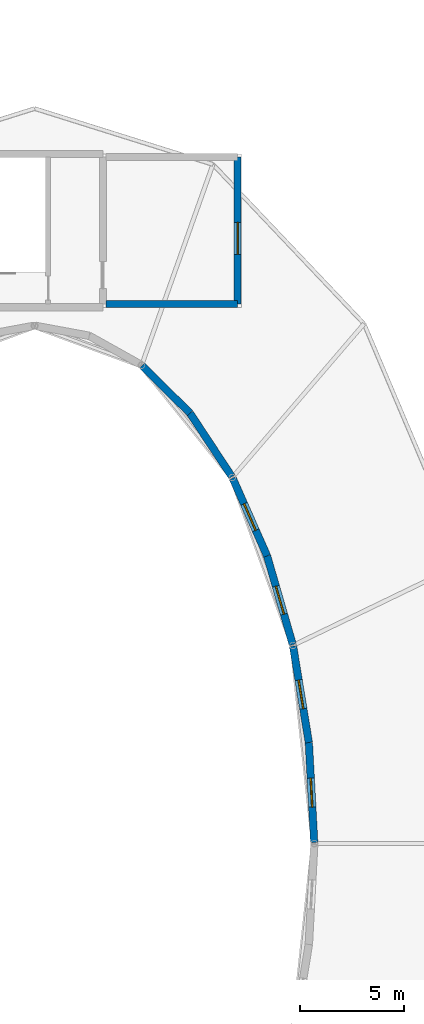
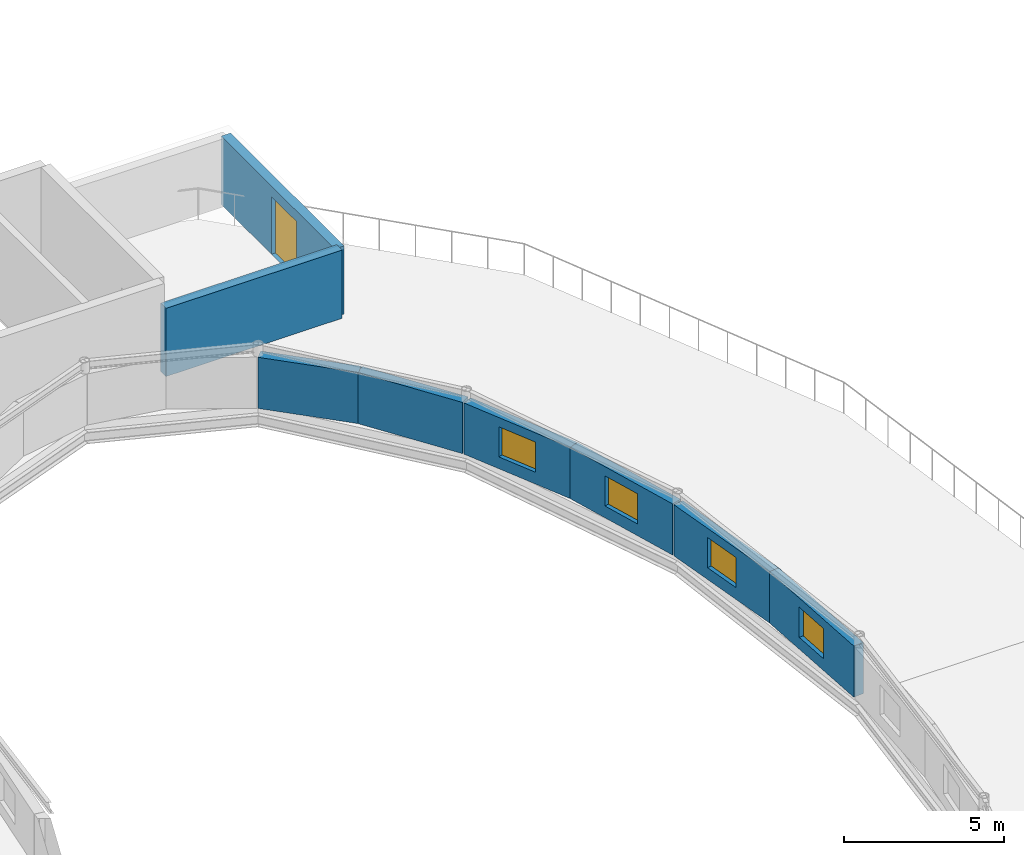
# One storey, part 107 of 123: 8 walls, 4 windows, 1 door, 5 openings.
"""IFC4 building model written with IfcOpenShell, lengths in metres."""

import ifcopenshell
import ifcopenshell.guid

model = None  # the IFC model being written
_history = None  # IfcOwnerHistory: only IFC2X3 demands one
_inside = {}  # id of a spatial element -> (the spatial element, [elements in it])
_under = {}  # id of a project, library or spatial element -> (it, [spatial elements below it])
_declared = {}  # id of a project -> (the project, [libraries it declares])
_typed = {}  # id of a type object -> (the type object, [elements of that type])
_made_of = {}  # id of a material, layer set ... -> (it, [elements and type objects made of it])


def new_model(schema):
    """Start an empty IFC model of exactly this schema.

    Asked for "IFC4X3", IfcOpenShell would pick the latest addendum, in which some entities
    have other attributes; the version numbers below select the first issue.
    IFC2X3 requires an IfcOwnerHistory on every rooted entity: one is made here for all.
    """
    global model, _history
    if schema == "IFC4X3":
        model = ifcopenshell.file(schema_version=(4, 3, 0, 0))
    else:
        model = ifcopenshell.file(schema=schema)
    _inside.clear()
    _under.clear()
    _declared.clear()
    _typed.clear()
    _made_of.clear()
    _history = None
    if model.schema == "IFC2X3":
        org = make("IfcOrganization", Name="unknown")
        user = make(
            "IfcPersonAndOrganization",
            ThePerson=make("IfcPerson", FamilyName="unknown"),
            TheOrganization=org,
        )
        app = make(
            "IfcApplication",
            ApplicationDeveloper=org,
            Version="unknown",
            ApplicationFullName="unknown",
            ApplicationIdentifier="unknown",
        )
        _history = make(
            "IfcOwnerHistory",
            OwningUser=user,
            OwningApplication=app,
            ChangeAction="ADDED",
            CreationDate=0,
        )
    return model


def make(cls, **values):
    """One entity of the class cls with the attributes given. An attribute that is None is left unset."""
    return model.create_entity(
        cls, **{name: value for name, value in values.items() if value is not None}
    )


def rooted(cls, **values):
    """An entity with a GlobalId (a new one), such as an element, a storey or a relation."""
    return make(cls, GlobalId=ifcopenshell.guid.new(), OwnerHistory=_history, **values)


def si_unit(unit_type, name, prefix=None):
    """IfcSIUnit, for example si_unit("LENGTHUNIT", "METRE", prefix="MILLI")."""
    return make("IfcSIUnit", UnitType=unit_type, Prefix=prefix, Name=name)


def assignment(units):
    """IfcUnitAssignment: the units of a project."""
    return None if units is None else make("IfcUnitAssignment", Units=units)


def point(xyz):
    """IfcCartesianPoint."""
    return None if xyz is None else make("IfcCartesianPoint", Coordinates=xyz)


def direction(xyz):
    """IfcDirection."""
    return None if xyz is None else make("IfcDirection", DirectionRatios=xyz)


def frame(location, z_axis=None, x_axis=None):
    """IfcAxis2Placement3D, a coordinate frame: its origin and axes. An axis left out is left unset."""
    return make(
        "IfcAxis2Placement3D",
        Location=point(location),
        Axis=direction(z_axis),
        RefDirection=direction(x_axis),
    )


def frame_2d(location, x_axis=None):
    """IfcAxis2Placement2D, a coordinate frame in the plane: its origin and x axis."""
    return make(
        "IfcAxis2Placement2D", Location=point(location), RefDirection=direction(x_axis)
    )


def origin():
    """The frame at (0, 0, 0) with its axes left unset."""
    return frame((0.0, 0.0, 0.0))


def place(relative_to, where):
    """IfcLocalPlacement: puts the frame where relative to a parent placement (None: the world)."""
    return make(
        "IfcLocalPlacement", PlacementRelTo=relative_to, RelativePlacement=where
    )


def context(
    kind, dimensions, precision=None, world=None, true_north=None, identifier=None
):
    """IfcGeometricRepresentationContext, for example the 3D "Model" context."""
    return make(
        "IfcGeometricRepresentationContext",
        ContextIdentifier=identifier,
        ContextType=kind,
        CoordinateSpaceDimension=dimensions,
        Precision=precision,
        WorldCoordinateSystem=world,
        TrueNorth=true_north,
    )


def subcontext(parent, identifier, kind, view, scale=None):
    """IfcGeometricRepresentationSubContext, for example "Body" below "Model"."""
    return make(
        "IfcGeometricRepresentationSubContext",
        ContextIdentifier=identifier,
        ContextType=kind,
        ParentContext=parent,
        TargetScale=scale,
        TargetView=view,
    )


def project(units=None, contexts=None):
    """IfcProject with its units and contexts."""
    return rooted(
        "IfcProject",
        Name="project",
        RepresentationContexts=contexts,
        UnitsInContext=assignment(units),
    )


def spatial(cls, under=None, at=None, **own):
    """A site, building, storey or space (cls), placed at a placement, below another one or the project."""
    s = rooted(cls, ObjectPlacement=at, **own)
    if under is not None:
        _under.setdefault(under.id(), (under, []))[1].append(s)
    return s


def profile(cls, at=None, kind="AREA", **sizes):
    """A parametric profile (cls). Its sizes go by their IFC names, for example OverallWidth=200.0."""
    return make(cls, ProfileType=kind, Position=at, **sizes)


def rectangle(**sizes):
    """IfcRectangleProfileDef."""
    return profile("IfcRectangleProfileDef", **sizes)


def extrude(swept, where, along, depth):
    """IfcExtrudedAreaSolid: the profile swept, set in the frame where, extruded along a direction by depth."""
    return make(
        "IfcExtrudedAreaSolid",
        SweptArea=swept,
        Position=where,
        ExtrudedDirection=direction(along),
        Depth=depth,
    )


def shape(context_of_items, identifier, shape_type, items):
    """IfcShapeRepresentation: the items that make up one representation, for example the "Body"."""
    return make(
        "IfcShapeRepresentation",
        ContextOfItems=context_of_items,
        RepresentationIdentifier=identifier,
        RepresentationType=shape_type,
        Items=items,
    )


def material(Name=None, Category=None):
    """IfcMaterial."""
    return make("IfcMaterial", Name=Name, Category=Category)


def layer(
    of_material, thickness, ventilated=None, Name=None, Category=None, Priority=None
):
    """IfcMaterialLayer: one layer of a wall or slab, of a material (None: an air gap)."""
    return make(
        "IfcMaterialLayer",
        Material=of_material,
        LayerThickness=thickness,
        IsVentilated=ventilated,
        Name=Name,
        Category=Category,
        Priority=Priority,
    )


def layer_set(layers, Name=None):
    """IfcMaterialLayerSet."""
    return make("IfcMaterialLayerSet", MaterialLayers=layers, LayerSetName=Name)


def made_of(thing, what):
    """Note that an element or type object is made of a material, layer set ...; save() writes the relation."""
    if what is not None:
        _made_of.setdefault(what.id(), (what, []))[1].append(thing)
    return thing


def type_object(cls, material=None, **own):
    """A type object (cls), such as IfcWallType, which elements share."""
    return made_of(rooted(cls, **own), material)


def element(
    cls,
    number,
    at=None,
    inside=None,
    cuts=None,
    type_object=None,
    material=None,
    context=None,
    identifier="Body",
    shape_type=None,
    held_by="IfcProductDefinitionShape",
    body=None,
    shapes=None,
    **own,
):
    """One element of the class cls, such as IfcWall. Its Tag is "e" and its number.

    at: its placement. inside: the storey or other place that contains it. cuts: it is an
    opening in that element (IfcRelVoidsElement). A single representation is given by context,
    identifier, shape_type and body (its items); several are given by shapes. held_by: the class
    of the entity that holds the representations. save() writes the other relations.
    """
    e = rooted(cls, Tag="e%d" % number, ObjectPlacement=at, **own)
    if body is not None:
        shapes = [shape(context, identifier, shape_type, body)]
    if shapes is not None:
        e.Representation = make(held_by, Representations=shapes)
    if inside is not None:
        _inside.setdefault(inside.id(), (inside, []))[1].append(e)
    if cuts is not None:
        rooted(
            "IfcRelVoidsElement", RelatingBuildingElement=cuts, RelatedOpeningElement=e
        )
    if type_object is not None:
        _typed.setdefault(type_object.id(), (type_object, []))[1].append(e)
    return made_of(e, material)


def fill(opening, filler):
    """IfcRelFillsElement: the door or window that sits in an opening."""
    return rooted(
        "IfcRelFillsElement",
        RelatingOpeningElement=opening,
        RelatedBuildingElement=filler,
    )


def aggregate(whole, parts):
    """IfcRelAggregates: a whole, such as a stair, and the parts it consists of."""
    return rooted("IfcRelAggregates", RelatingObject=whole, RelatedObjects=parts)


def save(model, path):
    """Write the relations noted so far, then the file.

    IfcRelAggregates (storeys below a building ...), IfcRelContainedInSpatialStructure (elements
    in a storey), IfcRelDefinesByType, IfcRelAssociatesMaterial and IfcRelDeclares: one each for
    every whole, place, type object, material and project.
    """
    for whole, parts in _under.values():
        aggregate(whole, parts)
    for where, things in _inside.values():
        rooted(
            "IfcRelContainedInSpatialStructure",
            RelatedElements=things,
            RelatingStructure=where,
        )
    for kind, things in _typed.values():
        rooted("IfcRelDefinesByType", RelatedObjects=things, RelatingType=kind)
    for what, things in _made_of.values():
        rooted("IfcRelAssociatesMaterial", RelatedObjects=things, RelatingMaterial=what)
    for by, libraries in _declared.values():
        rooted("IfcRelDeclares", RelatingContext=by, RelatedDefinitions=libraries)
    model.write(path)


model = new_model("IFC4")

# Units and contexts
model_context = context("Model", 3, precision=1e-05, world=origin(), true_north=direction((0.0, 1.0)))
body_context = subcontext(model_context, "Body", "Model", "MODEL_VIEW")
ifc_project = project(units=[si_unit("LENGTHUNIT", "METRE"), si_unit("AREAUNIT", "SQUARE_METRE"), si_unit("VOLUMEUNIT", "CUBIC_METRE"), si_unit("PLANEANGLEUNIT", "RADIAN"), si_unit("MASSUNIT", "GRAM", prefix="KILO")], contexts=[model_context])

# Site, building, storey
site_placement = place(None, origin())
site = spatial("IfcSite", under=ifc_project, at=site_placement, CompositionType="ELEMENT")
building_placement = place(site_placement, origin())
building = spatial("IfcBuilding", under=site, at=building_placement, Name="Kildeholm Park Wholesale Market", CompositionType="ELEMENT")
storey_placement = place(building_placement, frame((0.0, 0.0, 9.60009765625)))
storey = spatial("IfcBuildingStorey", under=building, at=storey_placement, Name="L02", CompositionType="ELEMENT", Elevation=9.60009765625)

# Wall, opening, window
ifc_material_1 = material(Name="Red Danish clinker brick masonry with Concrete C35/45 backing", Category="masonry")
ifc_layer_1 = layer(ifc_material_1, 0.360107421875)
ifc_layer_set_1 = layer_set([ifc_layer_1], Name="Red Danish clinker brick masonry with Concrete C35/45 backing")
wall_type_1 = type_object("IfcWallType", Name="Exterior wall W-EX1 360 mm", PredefinedType="SOLIDWALL", material=ifc_layer_set_1)
wall_1_placement = place(storey_placement, frame((201.5, 94.541015625, 0.0), z_axis=(0.0, 0.0, 1.0), x_axis=(-0.05348754021, 0.998568516949, 0.0)))
wall_1 = element("IfcWall", 1, at=wall_1_placement, inside=storey, type_object=wall_type_1, Name="Oval nave clerestory wall 1.1 WL-0211", PredefinedType="SOLIDWALL", context=body_context, shape_type="SweptSolid", body=[
    extrude(rectangle(XDim=4.8427734375, YDim=0.360107421875, at=frame_2d((2.42138671875, 0.0))), origin(), (0.0, 0.0, 1.0), 1.949951171875),
])
opening_1_placement = place(wall_1_placement, frame((1.720947265625, 0.0, 0.449951171875)))
opening_1 = element("IfcOpeningElement", 2, at=opening_1_placement, cuts=wall_1, Name="Opening WN-18", PredefinedType="OPENING", context=body_context, shape_type="SweptSolid", body=[
    extrude(rectangle(XDim=1.39990234375, YDim=1.14990234375, at=frame_2d((0.699951171875, 0.574951171875))), frame((0.0, 0.18994140625, 0.0), z_axis=(0.0, -1.0, 0.0), x_axis=(1.0, 0.0, 0.0)), (0.0, 0.0, 1.0), 0.380126953125),
])
ifc_material_2 = material(Name="Thermally broken aluminium and triple-glazed low-E glass", Category="aluminium")
window_type = type_object("IfcWindowType", Name="Window WN-18 1400x1150", PartitioningType="DOUBLE_PANEL_VERTICAL", PredefinedType="WINDOW", material=ifc_material_2)
window_1_placement = place(opening_1_placement, origin())
window_1 = element("IfcWindow", 3, at=window_1_placement, inside=storey, type_object=window_type, Name="Oval clerestory window 1.0 WIN-0046", OverallHeight=1.14990234375, OverallWidth=1.39990234375, PartitioningType="SINGLE_PANEL", PredefinedType="WINDOW", context=body_context, shape_type="SweptSolid", body=[
    extrude(rectangle(XDim=1.39990234375, YDim=1.14990234375, at=frame_2d((0.699951171875, 0.574951171875))), frame((0.0, 0.030029296875, 0.0), z_axis=(0.0, -1.0, 0.0), x_axis=(1.0, 0.0, 0.0)), (0.0, 0.0, 1.0), 0.06005859375),
])
fill(opening_1, window_1)

wall_2_placement = place(storey_placement, frame((201.240966796875, 99.376953125, 0.0), z_axis=(0.0, 0.0, 1.0), x_axis=(-0.161231765163, 0.986916570893, 0.0)))
wall_2 = element("IfcWall", 4, at=wall_2_placement, inside=storey, type_object=wall_type_1, Name="Oval nave clerestory wall 1.2 WL-0212", PredefinedType="SOLIDWALL", context=body_context, shape_type="SweptSolid", body=[
    extrude(rectangle(XDim=4.7138671875, YDim=0.360107421875, at=frame_2d((2.35693359375, 0.0))), origin(), (0.0, 0.0, 1.0), 1.949951171875),
])
opening_2_placement = place(wall_2_placement, frame((1.656982421875, 0.0, 0.449951171875)))
opening_2 = element("IfcOpeningElement", 5, at=opening_2_placement, cuts=wall_2, Name="Opening WN-18", PredefinedType="OPENING", context=body_context, shape_type="SweptSolid", body=[
    extrude(rectangle(XDim=1.39990234375, YDim=1.14990234375, at=frame_2d((0.699951171875, 0.574951171875))), frame((0.0, 0.18994140625, 0.0), z_axis=(0.0, -1.0, 0.0), x_axis=(1.0, 0.0, 0.0)), (0.0, 0.0, 1.0), 0.380126953125),
])
window_2_placement = place(opening_2_placement, origin())
window_2 = element("IfcWindow", 6, at=window_2_placement, inside=storey, type_object=window_type, Name="Oval clerestory window 1.1 WIN-0047", OverallHeight=1.14990234375, OverallWidth=1.39990234375, PartitioningType="SINGLE_PANEL", PredefinedType="WINDOW", context=body_context, shape_type="SweptSolid", body=[
    extrude(rectangle(XDim=1.39990234375, YDim=1.14990234375, at=frame_2d((0.699951171875, 0.574951171875))), frame((0.0, 0.030029296875, 0.0), z_axis=(0.0, -1.0, 0.0), x_axis=(1.0, 0.0, 0.0)), (0.0, 0.0, 1.0), 0.06005859375),
])
fill(opening_2, window_2)

wall_3_placement = place(storey_placement, frame((200.462890625, 104.10888671875, 0.0), z_axis=(0.0, 0.0, 1.0), x_axis=(-0.277817244188, 0.960633946325, 0.0)))
wall_3 = element("IfcWall", 7, at=wall_3_placement, inside=storey, type_object=wall_type_1, Name="Oval nave clerestory wall 2.1 WL-0217", PredefinedType="SOLIDWALL", context=body_context, shape_type="SweptSolid", body=[
    extrude(rectangle(XDim=4.455322265625, YDim=0.360107421875, at=frame_2d((2.2275390625, 0.0))), origin(), (0.0, 0.0, 1.0), 1.949951171875),
])
opening_3_placement = place(wall_3_placement, frame((1.528076171875, 0.0, 0.449951171875)))
opening_3 = element("IfcOpeningElement", 8, at=opening_3_placement, cuts=wall_3, Name="Opening WN-18", PredefinedType="OPENING", context=body_context, shape_type="SweptSolid", body=[
    extrude(rectangle(XDim=1.39990234375, YDim=1.14990234375, at=frame_2d((0.699951171875, 0.574951171875))), frame((0.0, 0.18994140625, 0.0), z_axis=(0.0, -1.0, 0.0), x_axis=(1.0, 0.0, 0.0)), (0.0, 0.0, 1.0), 0.380126953125),
])
window_3_placement = place(opening_3_placement, origin())
window_3 = element("IfcWindow", 9, at=window_3_placement, inside=storey, type_object=window_type, Name="Oval clerestory window 2.0 WIN-0050", OverallHeight=1.14990234375, OverallWidth=1.39990234375, PartitioningType="SINGLE_PANEL", PredefinedType="WINDOW", context=body_context, shape_type="SweptSolid", body=[
    extrude(rectangle(XDim=1.39990234375, YDim=1.14990234375, at=frame_2d((0.699951171875, 0.574951171875))), frame((0.0, 0.030029296875, 0.0), z_axis=(0.0, -1.0, 0.0), x_axis=(1.0, 0.0, 0.0)), (0.0, 0.0, 1.0), 0.06005859375),
])
fill(opening_3, window_3)

wall_4_placement = place(storey_placement, frame((199.22509765625, 108.388916015625, 0.0), z_axis=(0.0, 0.0, 1.0), x_axis=(-0.404659928735, 0.914467244945, 0.0)))
wall_4 = element("IfcWall", 10, at=wall_4_placement, inside=storey, type_object=wall_type_1, Name="Oval nave clerestory wall 2.2 WL-0218", PredefinedType="SOLIDWALL", context=body_context, shape_type="SweptSolid", body=[
    extrude(rectangle(XDim=4.107421875, YDim=0.360107421875, at=frame_2d((2.0537109375, 0.0))), origin(), (0.0, 0.0, 1.0), 1.949951171875),
])
opening_4_placement = place(wall_4_placement, frame((1.35400390625, 0.0, 0.449951171875)))
opening_4 = element("IfcOpeningElement", 11, at=opening_4_placement, cuts=wall_4, Name="Opening WN-18", PredefinedType="OPENING", context=body_context, shape_type="SweptSolid", body=[
    extrude(rectangle(XDim=1.39990234375, YDim=1.14990234375, at=frame_2d((0.699951171875, 0.574951171875))), frame((0.0, 0.18994140625, 0.0), z_axis=(0.0, -1.0, 0.0), x_axis=(1.0, 0.0, 0.0)), (0.0, 0.0, 1.0), 0.380126953125),
])
window_4_placement = place(opening_4_placement, origin())
window_4 = element("IfcWindow", 12, at=window_4_placement, inside=storey, type_object=window_type, Name="Oval clerestory window 2.1 WIN-0051", OverallHeight=1.14990234375, OverallWidth=1.39990234375, PartitioningType="SINGLE_PANEL", PredefinedType="WINDOW", context=body_context, shape_type="SweptSolid", body=[
    extrude(rectangle(XDim=1.39990234375, YDim=1.14990234375, at=frame_2d((0.699951171875, 0.574951171875))), frame((0.0, 0.030029296875, 0.0), z_axis=(0.0, -1.0, 0.0), x_axis=(1.0, 0.0, 0.0)), (0.0, 0.0, 1.0), 0.06005859375),
])
fill(opening_4, window_4)

# Walls
wall_5_placement = place(storey_placement, frame((197.52392578125, 112.217041015625, 0.0), z_axis=(0.0, 0.0, 1.0), x_axis=(-0.550402776331, 0.834899265665, 0.0)))
element("IfcWall", 13, at=wall_5_placement, inside=storey, type_object=wall_type_1, Name="Oval nave clerestory wall 3.1 WL-0223", PredefinedType="SOLIDWALL", context=body_context, shape_type="SweptSolid", body=[
    extrude(rectangle(XDim=3.67724609375, YDim=0.360107421875, at=frame_2d((1.838623046875, 0.0))), origin(), (0.0, 0.0, 1.0), 1.949951171875),
])
wall_6_placement = place(storey_placement, frame((195.5, 115.287109375, 0.0), z_axis=(0.0, 0.0, 1.0), x_axis=(-0.709882217203, 0.704320408407, 0.0)))
element("IfcWall", 14, at=wall_6_placement, inside=storey, type_object=wall_type_1, Name="Oval nave clerestory wall 3.2 WL-0224", PredefinedType="SOLIDWALL", context=body_context, shape_type="SweptSolid", body=[
    extrude(rectangle(XDim=3.248291015625, YDim=0.360107421875, at=frame_2d((1.6240234375, 0.0))), origin(), (0.0, 0.0, 1.0), 1.949951171875),
])
ifc_material_3 = material(Name="Precast concrete C40/50 architectural rainscreen wall", Category="concrete")
ifc_layer_2 = layer(ifc_material_3, 0.340087890625)
ifc_layer_set_2 = layer_set([ifc_layer_2], Name="Precast concrete C40/50 architectural rainscreen wall")
wall_type_2 = type_object("IfcWallType", Name="Exterior wall W-EX4 340 mm", PredefinedType="SOLIDWALL", material=ifc_layer_set_2)
wall_7_placement = place(storey_placement, frame((191.449951171875, 120.550048828125, 0.0), z_axis=(0.0, 0.0, 1.0), x_axis=(1.0, 0.0, 0.0)))
element("IfcWall", 15, at=wall_7_placement, inside=storey, type_object=wall_type_2, Name="Oval garden lounge south wall N WL-0306", PredefinedType="SOLIDWALL", context=body_context, shape_type="SweptSolid", body=[
    extrude(rectangle(XDim=6.35009765625, YDim=0.340087890625, at=frame_2d((3.175048828125, 0.0))), origin(), (0.0, 0.0, 1.0), 2.599853515625),
])

# Wall, opening, door
wall_8_placement = place(storey_placement, frame((197.800048828125, 120.550048828125, 0.0), z_axis=(0.0, 0.0, 1.0), x_axis=(0.0, 1.0, 0.0)))
wall_8 = element("IfcWall", 16, at=wall_8_placement, inside=storey, type_object=wall_type_2, Name="Oval garden lounge east wall N WL-0308", PredefinedType="SOLIDWALL", context=body_context, shape_type="SweptSolid", body=[
    extrude(rectangle(XDim=7.099853515625, YDim=0.340087890625, at=frame_2d((3.5498046875, 0.0))), origin(), (0.0, 0.0, 1.0), 2.599853515625),
])
opening_5_placement = place(wall_8_placement, frame((2.39990234375, 0.0, 0.0)))
opening_5 = element("IfcOpeningElement", 17, at=opening_5_placement, cuts=wall_8, Name="Opening D-EX12", PredefinedType="OPENING", context=body_context, shape_type="SweptSolid", body=[
    extrude(rectangle(XDim=1.550048828125, YDim=2.199951171875, at=frame_2d((0.77490234375, 1.10009765625))), frame((0.0, 0.179931640625, 0.0), z_axis=(0.0, -1.0, 0.0), x_axis=(1.0, 0.0, 0.0)), (0.0, 0.0, 1.0), 0.360107421875),
])
ifc_material_4 = material(Name="Anodised aluminium conservatory garden door", Category="aluminium")
door_type = type_object("IfcDoorType", Name="Exterior door D-EX12 1550x2200", OperationType="NOTDEFINED", PredefinedType="DOOR", material=ifc_material_4)
door_placement = place(opening_5_placement, frame((1.550048828125, 0.0, 0.0), z_axis=(0.0, 0.0, 1.0), x_axis=(-1.0, 0.0, 0.0)))
door = element("IfcDoor", 18, at=door_placement, inside=storey, type_object=door_type, Name="Oval roof garden door N DR-0014 WL-0308", OperationType="DOUBLE_DOOR_SINGLE_SWING", OverallHeight=2.199951171875, OverallWidth=1.550048828125, PredefinedType="DOOR", context=body_context, shape_type="SweptSolid", body=[
    extrude(rectangle(XDim=1.550048828125, YDim=2.199951171875, at=frame_2d((0.77490234375, 1.10009765625))), frame((0.0, 0.02490234375, 0.0), z_axis=(0.0, -1.0, 0.0), x_axis=(1.0, 0.0, 0.0)), (0.0, 0.0, 1.0), 0.050048828125),
])
fill(opening_5, door)

save(model, "model.ifc")
